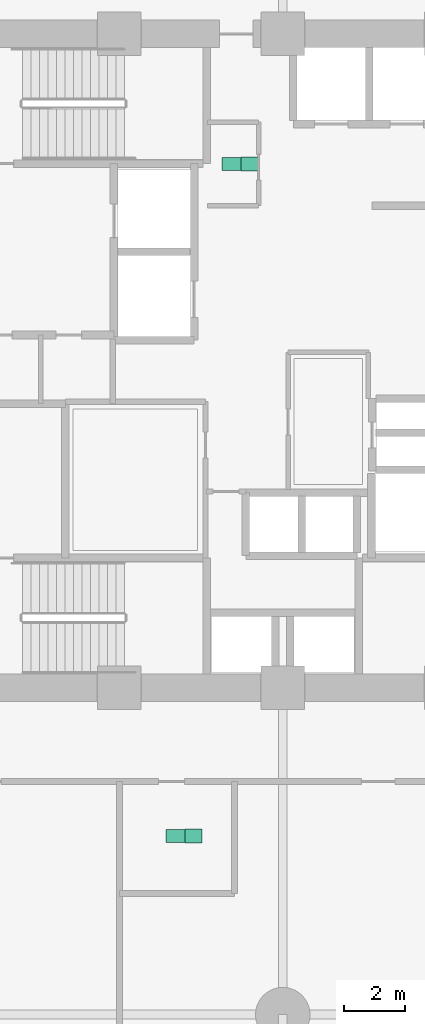
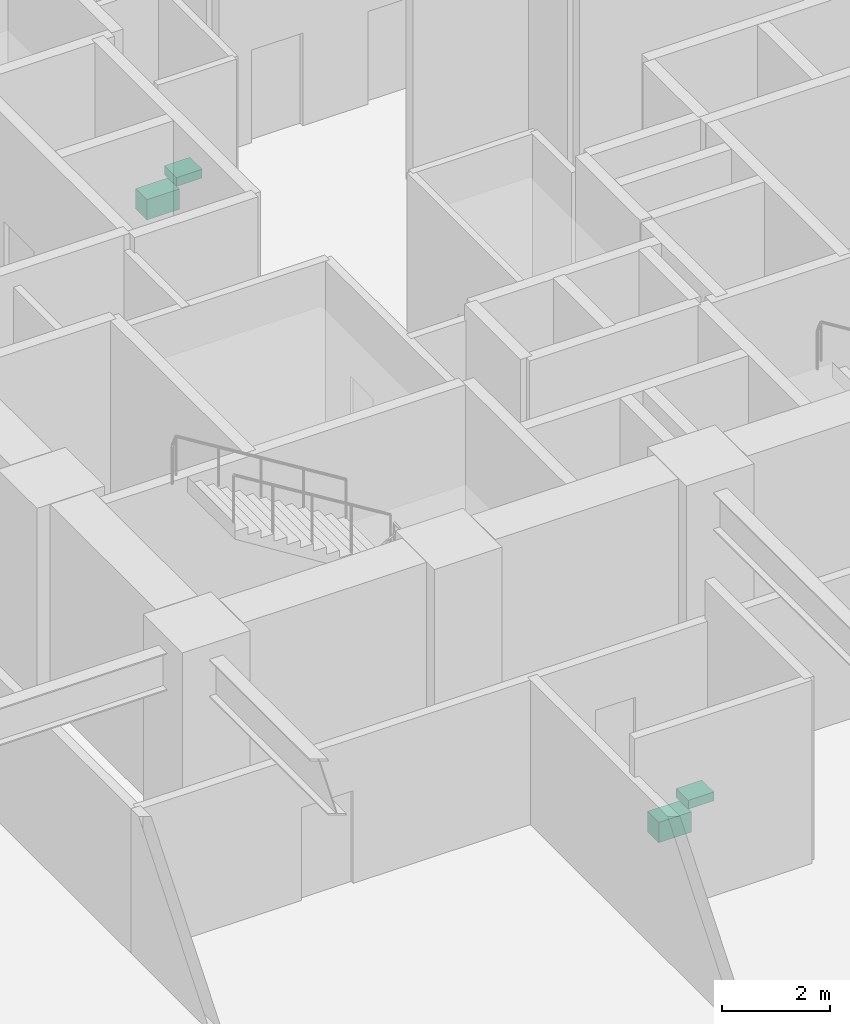
# One storey, part 35 of 35: 4 sanitary terminals.
"""IFC4 building model written with IfcOpenShell, lengths in metres."""

from ifc_helpers import new_model, si_unit, direction, frame, origin, origin_2d, place, context, subcontext, project, spatial, rectangle, extrude, material, type_object, element, save


model = new_model("IFC4")

# Units and contexts
model_context = context("Model", 3, precision=1e-05, world=origin(), true_north=direction((0.0, 1.0)))
body_context = subcontext(model_context, "Body", "Model", "MODEL_VIEW")
ifc_project = project(units=[si_unit("LENGTHUNIT", "METRE"), si_unit("AREAUNIT", "SQUARE_METRE"), si_unit("VOLUMEUNIT", "CUBIC_METRE"), si_unit("PLANEANGLEUNIT", "RADIAN"), si_unit("MASSUNIT", "GRAM", prefix="KILO")], contexts=[model_context])

# Site, building, storey
site_placement = place(None, origin())
site = spatial("IfcSite", under=ifc_project, at=site_placement, CompositionType="ELEMENT")
building_placement = place(site_placement, origin())
building = spatial("IfcBuilding", under=site, at=building_placement, Name="Surkhivell Harbour Commons", CompositionType="ELEMENT")
storey_placement = place(building_placement, frame((0.0, 0.0, 13.5)))
storey = spatial("IfcBuildingStorey", under=building, at=storey_placement, Name="L03", CompositionType="ELEMENT", Elevation=13.5)

# Sanitary terminals
ifc_material_1 = material(Name="Vitreous china washbasin", Category="other")
sanitary_terminal_type_1 = type_object("IfcSanitaryTerminalType", Name="SAN-BSN", PredefinedType="WASHHANDBASIN", material=ifc_material_1)
for number, where, z_axis, x_axis, name in (
    (1, (-1.10009765625, 6.5, 0.72021484375), (0.0, 0.0, 1.0), (1.0, 0.0, 0.0), "L03 Core Accessible WC Washbasin"),
    (2, (-2.949951171875, -15.699951171875, 0.72021484375), (0.0, 0.0, 1.0), (1.0, 0.0, 0.0), "L03 Accessible WC Washbasin"),
):
    element("IfcSanitaryTerminal", number, at=place(storey_placement, frame(where, z_axis=z_axis, x_axis=x_axis)), inside=storey, type_object=sanitary_terminal_type_1, Name=name, PredefinedType="WASHHANDBASIN", context=body_context, shape_type="SweptSolid", body=[
        extrude(rectangle(XDim=0.550048828125, YDim=0.449951171875, at=origin_2d()), origin(), (0.0, 0.0, 1.0), 0.199951171875),
    ])
ifc_material_2 = material(Name="Vitreous china sanitaryware", Category="other")
sanitary_terminal_type_2 = type_object("IfcSanitaryTerminalType", Name="SAN-WC-ACC", PredefinedType="TOILETPAN", material=ifc_material_2)
for number, where, z_axis, x_axis, name in (
    (3, (-1.64990234375, 6.5, 0.169921875), (0.0, 0.0, 1.0), (1.0, 0.0, 0.0), "L03 Core Accessible WC"),
    (4, (-3.5, -15.699951171875, 0.169921875), (0.0, 0.0, 1.0), (1.0, 0.0, 0.0), "L03 Accessible WC"),
):
    element("IfcSanitaryTerminal", number, at=place(storey_placement, frame(where, z_axis=z_axis, x_axis=x_axis)), inside=storey, type_object=sanitary_terminal_type_2, Name=name, PredefinedType="TOILETPAN", context=body_context, shape_type="SweptSolid", body=[
        extrude(rectangle(XDim=0.699951171875, YDim=0.419921875, at=origin_2d()), origin(), (0.0, 0.0, 1.0), 0.4599609375),
    ])

save(model, "model.ifc")
